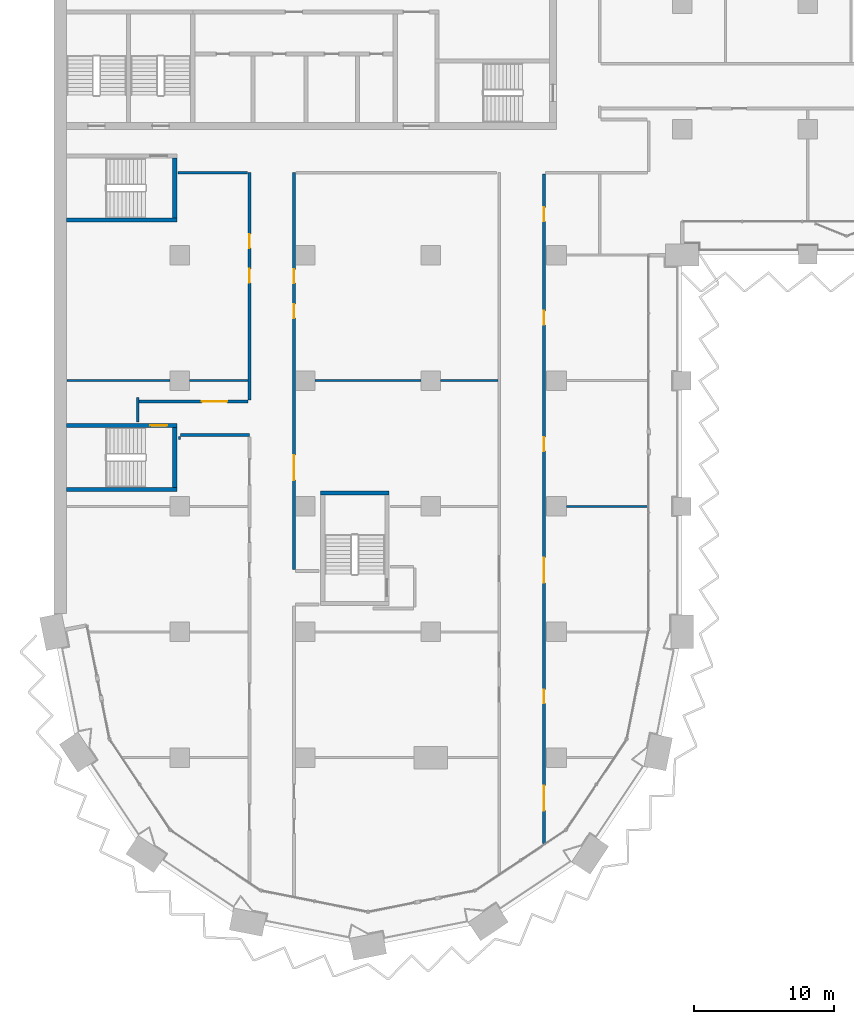
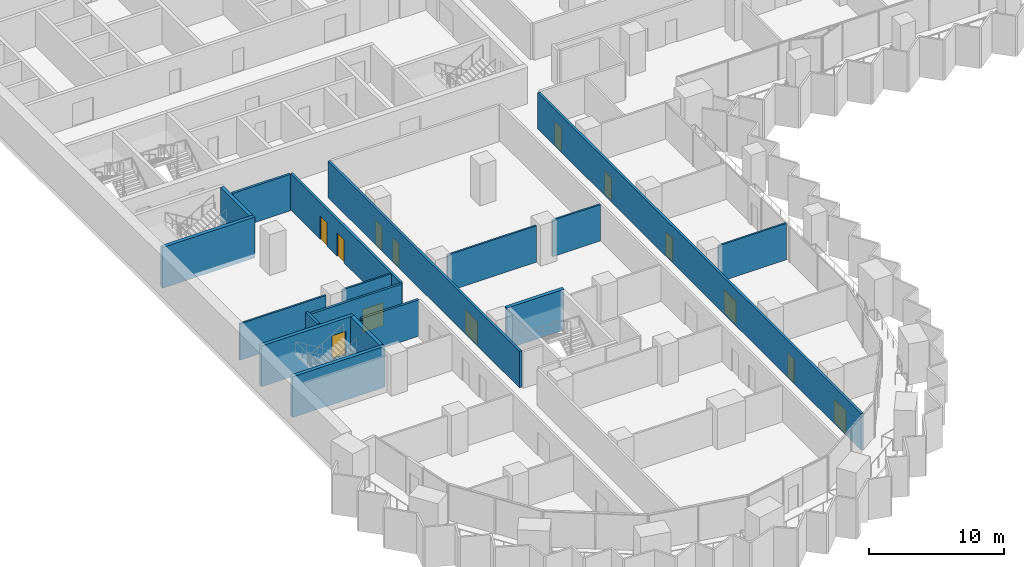
# One storey, part 11 of 28: 19 walls, 13 doors, 13 openings.
"""IFC4 building model written with IfcOpenShell, lengths in metres."""

from ifc_helpers import new_model, si_unit, direction, frame, frame_2d, origin, place, context, subcontext, project, spatial, rectangle, extrude, material, layer, layer_set, type_object, element, fill, save


model = new_model("IFC4")

# Units and contexts
model_context = context("Model", 3, precision=1e-05, world=origin(), true_north=direction((0.0, 1.0)))
body_context = subcontext(model_context, "Body", "Model", "MODEL_VIEW")
ifc_project = project(units=[si_unit("LENGTHUNIT", "METRE"), si_unit("AREAUNIT", "SQUARE_METRE"), si_unit("VOLUMEUNIT", "CUBIC_METRE"), si_unit("PLANEANGLEUNIT", "RADIAN"), si_unit("MASSUNIT", "GRAM", prefix="KILO")], contexts=[model_context])

# Site, building, storey
site_placement = place(None, origin())
site = spatial("IfcSite", under=ifc_project, at=site_placement, CompositionType="ELEMENT")
building_placement = place(site_placement, origin())
building = spatial("IfcBuilding", under=site, at=building_placement, Name="Hunhe Ridgeline Campus", CompositionType="ELEMENT")
storey_placement = place(building_placement, frame((0.0, 0.0, 35.800048828125)))
storey = spatial("IfcBuildingStorey", under=building, at=storey_placement, Name="L07", CompositionType="ELEMENT", Elevation=35.800048828125)

# Wall
ifc_material_1 = material(Name="Gypsum board partition")
ifc_layer_1 = layer(ifc_material_1, 0.199951171875)
ifc_layer_set_1 = layer_set([ifc_layer_1], Name="Corridor partition 200 gypsum board on steel studs")
wall_type_1 = type_object("IfcWallType", Name="Corridor partition 200 gypsum board on steel studs", PredefinedType="PARTITIONING", material=ifc_layer_set_1)
wall_1_placement = place(storey_placement, frame((14.0, 41.10009765625, 0.0), z_axis=(0.0, 0.0, 1.0), x_axis=(-1.0, 0.0, 0.0)))
element("IfcWall", 1, at=wall_1_placement, inside=storey, type_object=wall_type_1, Name="F-L07-wall-020", PredefinedType="PARTITIONING", context=body_context, shape_type="SweptSolid", body=[
    extrude(rectangle(XDim=4.925048828125, YDim=0.199951171875, at=frame_2d((2.46240234375, 0.0))), origin(), (0.0, 0.0, 1.0), 3.300048828125),
])

# Wall, opening, door
wall_2_placement = place(storey_placement, frame((6.10009765625, 43.5, 0.0), z_axis=(0.0, 0.0, 1.0), x_axis=(1.0, 0.0, 0.0)))
wall_2 = element("IfcWall", 2, at=wall_2_placement, inside=storey, type_object=wall_type_1, Name="F-L07-wall-021", PredefinedType="PARTITIONING", context=body_context, shape_type="SweptSolid", body=[
    extrude(rectangle(XDim=7.7998046875, YDim=0.199951171875, at=frame_2d((3.89990234375, 0.0))), origin(), (0.0, 0.0, 1.0), 3.300048828125),
])
opening_1_placement = place(wall_2_placement, frame((4.5, 0.0, 0.0)))
opening_1 = element("IfcOpeningElement", 3, at=opening_1_placement, cuts=wall_2, Name="Opening RD2-016", PredefinedType="OPENING", context=body_context, shape_type="SweptSolid", body=[
    extrude(rectangle(XDim=1.800048828125, YDim=2.10009765625, at=frame_2d((0.89990234375, 1.050048828125))), frame((0.0, 0.10009765625, 0.0), z_axis=(0.0, -1.0, 0.0), x_axis=(1.0, 0.0, 0.0)), (0.0, 0.0, 1.0), 0.199951171875),
])
ifc_material_2 = material(Name="Timber door leaf", Category="wood")
door_type_1 = type_object("IfcDoorType", Name="Double fire door 1800x2100 timber FD60", OperationType="DOUBLE_DOOR_SINGLE_SWING", PredefinedType="DOOR", material=ifc_material_2)
door_1_placement = place(opening_1_placement, origin())
door_1 = element("IfcDoor", 4, at=door_1_placement, inside=storey, type_object=door_type_1, Name="F-L07-door-016", OperationType="DOUBLE_DOOR_SINGLE_SWING", OverallHeight=2.10009765625, OverallWidth=1.800048828125, PredefinedType="DOOR", context=body_context, shape_type="SweptSolid", body=[
    extrude(rectangle(XDim=1.800048828125, YDim=2.10009765625, at=frame_2d((0.89990234375, 1.050048828125))), frame((0.0, 0.02490234375, 0.0), z_axis=(0.0, -1.0, 0.0), x_axis=(1.0, 0.0, 0.0)), (0.0, 0.0, 1.0), 0.050048828125),
])
fill(opening_1, door_1)

# Walls
wall_3_placement = place(storey_placement, frame((13.859375, 59.89990234375, 0.0), z_axis=(0.0, 0.0, 1.0), x_axis=(-1.0, 0.0, 0.0)))
element("IfcWall", 5, at=wall_3_placement, inside=storey, type_object=wall_type_1, Name="F-L07-wall-028", PredefinedType="PARTITIONING", context=body_context, shape_type="SweptSolid", body=[
    extrude(rectangle(XDim=4.955322265625, YDim=0.199951171875, at=frame_2d((2.4775390625, 0.0))), origin(), (0.0, 0.0, 1.0), 3.300048828125),
])
wall_4_placement = place(storey_placement, frame((6.0, 42.053955078125, 0.0), z_axis=(0.0, 0.0, 1.0), x_axis=(0.0, 1.0, 0.0)))
element("IfcWall", 6, at=wall_4_placement, inside=storey, type_object=wall_type_1, Name="F-L07-wall-044", PredefinedType="PARTITIONING", context=body_context, shape_type="SweptSolid", body=[
    extrude(rectangle(XDim=1.74609375, YDim=0.199951171875, at=frame_2d((0.873046875, 0.0))), origin(), (0.0, 0.0, 1.0), 3.300048828125),
])

# Wall, openings, doors
wall_5_placement = place(storey_placement, frame((14.0, 43.60009765625, 0.0), z_axis=(0.0, 0.0, 1.0), x_axis=(0.0, 1.0, 0.0)))
wall_5 = element("IfcWall", 7, at=wall_5_placement, inside=storey, type_object=wall_type_1, Name="F-L07-wall-047", PredefinedType="PARTITIONING", context=body_context, shape_type="SweptSolid", body=[
    extrude(rectangle(XDim=16.2998046875, YDim=0.199951171875, at=frame_2d((8.14990234375, 0.0))), origin(), (0.0, 0.0, 1.0), 3.300048828125),
])
opening_2_placement = place(wall_5_placement, frame((8.40234375, 0.0, 0.0)))
opening_2 = element("IfcOpeningElement", 8, at=opening_2_placement, cuts=wall_5, Name="Opening RD1-019", PredefinedType="OPENING", context=body_context, shape_type="SweptSolid", body=[
    extrude(rectangle(XDim=1.0, YDim=2.10009765625, at=frame_2d((0.5, 1.050048828125))), frame((0.0, 0.10009765625, 0.0), z_axis=(0.0, -1.0, 0.0), x_axis=(1.0, 0.0, 0.0)), (0.0, 0.0, 1.0), 0.199951171875),
])
opening_3_placement = place(wall_5_placement, frame((10.90234375, 0.0, 0.0)))
opening_3 = element("IfcOpeningElement", 9, at=opening_3_placement, cuts=wall_5, Name="Opening RD1-021", PredefinedType="OPENING", context=body_context, shape_type="SweptSolid", body=[
    extrude(rectangle(XDim=1.0, YDim=2.10009765625, at=frame_2d((0.5, 1.050048828125))), frame((0.0, 0.10009765625, 0.0), z_axis=(0.0, -1.0, 0.0), x_axis=(1.0, 0.0, 0.0)), (0.0, 0.0, 1.0), 0.199951171875),
])
door_type_2 = type_object("IfcDoorType", Name="Single fire door 1000x2100 timber FD60", OperationType="NOTDEFINED", PredefinedType="DOOR", material=ifc_material_2)
door_2_placement = place(opening_2_placement, frame((1.0, 0.0, 0.0), z_axis=(0.0, 0.0, 1.0), x_axis=(-1.0, 0.0, 0.0)))
door_2 = element("IfcDoor", 10, at=door_2_placement, inside=storey, type_object=door_type_2, Name="F-L07-door-019", OperationType="SINGLE_SWING_LEFT", OverallHeight=2.10009765625, OverallWidth=1.0, PredefinedType="DOOR", context=body_context, shape_type="SweptSolid", body=[
    extrude(rectangle(XDim=1.0, YDim=2.10009765625, at=frame_2d((0.5, 1.050048828125))), frame((0.0, 0.02490234375, 0.0), z_axis=(0.0, -1.0, 0.0), x_axis=(1.0, 0.0, 0.0)), (0.0, 0.0, 1.0), 0.050048828125),
])
fill(opening_2, door_2)
door_3_placement = place(opening_3_placement, frame((1.0, 0.0, 0.0), z_axis=(0.0, 0.0, 1.0), x_axis=(-1.0, 0.0, 0.0)))
door_3 = element("IfcDoor", 11, at=door_3_placement, inside=storey, type_object=door_type_2, Name="F-L07-door-021", OperationType="SINGLE_SWING_LEFT", OverallHeight=2.10009765625, OverallWidth=1.0, PredefinedType="DOOR", context=body_context, shape_type="SweptSolid", body=[
    extrude(rectangle(XDim=1.0, YDim=2.10009765625, at=frame_2d((0.5, 1.050048828125))), frame((0.0, 0.02490234375, 0.0), z_axis=(0.0, -1.0, 0.0), x_axis=(1.0, 0.0, 0.0)), (0.0, 0.0, 1.0), 0.050048828125),
])
fill(opening_3, door_3)

wall_6_placement = place(storey_placement, frame((17.199951171875, 59.89990234375, 0.0), z_axis=(0.0, 0.0, 1.0), x_axis=(0.0, -1.0, 0.0)))
wall_6 = element("IfcWall", 12, at=wall_6_placement, inside=storey, type_object=wall_type_1, Name="F-L07-wall-049", PredefinedType="PARTITIONING", context=body_context, shape_type="SweptSolid", body=[
    extrude(rectangle(XDim=28.41357421875, YDim=0.199951171875, at=frame_2d((14.206787109375, 0.0))), origin(), (0.0, 0.0, 1.0), 3.300048828125),
])
opening_4_placement = place(wall_6_placement, frame((20.224609375, 0.0, 0.0)))
opening_4 = element("IfcOpeningElement", 13, at=opening_4_placement, cuts=wall_6, Name="Opening RD2-014", PredefinedType="OPENING", context=body_context, shape_type="SweptSolid", body=[
    extrude(rectangle(XDim=1.800048828125, YDim=2.10009765625, at=frame_2d((0.89990234375, 1.050048828125))), frame((0.0, 0.10009765625, 0.0), z_axis=(0.0, -1.0, 0.0), x_axis=(1.0, 0.0, 0.0)), (0.0, 0.0, 1.0), 0.199951171875),
])
opening_5_placement = place(wall_6_placement, frame((9.417724609375, 0.0, 0.0)))
opening_5 = element("IfcOpeningElement", 14, at=opening_5_placement, cuts=wall_6, Name="Opening RD1-018", PredefinedType="OPENING", context=body_context, shape_type="SweptSolid", body=[
    extrude(rectangle(XDim=1.0, YDim=2.10009765625, at=frame_2d((0.5, 1.050048828125))), frame((0.0, 0.10009765625, 0.0), z_axis=(0.0, -1.0, 0.0), x_axis=(1.0, 0.0, 0.0)), (0.0, 0.0, 1.0), 0.199951171875),
])
opening_6_placement = place(wall_6_placement, frame((6.917724609375, 0.0, 0.0)))
opening_6 = element("IfcOpeningElement", 15, at=opening_6_placement, cuts=wall_6, Name="Opening RD1-020", PredefinedType="OPENING", context=body_context, shape_type="SweptSolid", body=[
    extrude(rectangle(XDim=1.0, YDim=2.10009765625, at=frame_2d((0.5, 1.050048828125))), frame((0.0, 0.10009765625, 0.0), z_axis=(0.0, -1.0, 0.0), x_axis=(1.0, 0.0, 0.0)), (0.0, 0.0, 1.0), 0.199951171875),
])
door_4_placement = place(opening_4_placement, origin())
door_4 = element("IfcDoor", 16, at=door_4_placement, inside=storey, type_object=door_type_1, Name="F-L07-door-014", OperationType="DOUBLE_DOOR_SINGLE_SWING", OverallHeight=2.10009765625, OverallWidth=1.800048828125, PredefinedType="DOOR", context=body_context, shape_type="SweptSolid", body=[
    extrude(rectangle(XDim=1.800048828125, YDim=2.10009765625, at=frame_2d((0.89990234375, 1.050048828125))), frame((0.0, 0.02490234375, 0.0), z_axis=(0.0, -1.0, 0.0), x_axis=(1.0, 0.0, 0.0)), (0.0, 0.0, 1.0), 0.050048828125),
])
fill(opening_4, door_4)
door_5_placement = place(opening_5_placement, frame((1.0, 0.0, 0.0), z_axis=(0.0, 0.0, 1.0), x_axis=(-1.0, 0.0, 0.0)))
door_5 = element("IfcDoor", 17, at=door_5_placement, inside=storey, type_object=door_type_2, Name="F-L07-door-018", OperationType="SINGLE_SWING_LEFT", OverallHeight=2.10009765625, OverallWidth=1.0, PredefinedType="DOOR", context=body_context, shape_type="SweptSolid", body=[
    extrude(rectangle(XDim=1.0, YDim=2.10009765625, at=frame_2d((0.5, 1.050048828125))), frame((0.0, 0.02490234375, 0.0), z_axis=(0.0, -1.0, 0.0), x_axis=(1.0, 0.0, 0.0)), (0.0, 0.0, 1.0), 0.050048828125),
])
fill(opening_5, door_5)
door_6_placement = place(opening_6_placement, frame((1.0, 0.0, 0.0), z_axis=(0.0, 0.0, 1.0), x_axis=(-1.0, 0.0, 0.0)))
door_6 = element("IfcDoor", 18, at=door_6_placement, inside=storey, type_object=door_type_2, Name="F-L07-door-020", OperationType="SINGLE_SWING_RIGHT", OverallHeight=2.10009765625, OverallWidth=1.0, PredefinedType="DOOR", context=body_context, shape_type="SweptSolid", body=[
    extrude(rectangle(XDim=1.0, YDim=2.10009765625, at=frame_2d((0.5, 1.050048828125))), frame((0.0, 0.02490234375, 0.0), z_axis=(0.0, -1.0, 0.0), x_axis=(1.0, 0.0, 0.0)), (0.0, 0.0, 1.0), 0.050048828125),
])
fill(opening_6, door_6)

wall_7_placement = place(storey_placement, frame((35.10009765625, 59.800048828125, 0.0), z_axis=(0.0, 0.0, 1.0), x_axis=(0.0, -1.0, 0.0)))
wall_7 = element("IfcWall", 19, at=wall_7_placement, inside=storey, type_object=wall_type_1, Name="F-L07-wall-052", PredefinedType="PARTITIONING", context=body_context, shape_type="SweptSolid", body=[
    extrude(rectangle(XDim=47.968994140625, YDim=0.199951171875, at=frame_2d((23.984375, 0.0))), origin(), (0.0, 0.0, 1.0), 3.300048828125),
])
opening_7_placement = place(wall_7_placement, frame((43.803955078125, 0.0, 0.0)))
opening_7 = element("IfcOpeningElement", 20, at=opening_7_placement, cuts=wall_7, Name="Opening RD2-003", PredefinedType="OPENING", context=body_context, shape_type="SweptSolid", body=[
    extrude(rectangle(XDim=1.800048828125, YDim=2.10009765625, at=frame_2d((0.89990234375, 1.050048828125))), frame((0.0, 0.10009765625, 0.0), z_axis=(0.0, -1.0, 0.0), x_axis=(1.0, 0.0, 0.0)), (0.0, 0.0, 1.0), 0.199951171875),
])
opening_8_placement = place(wall_7_placement, frame((36.9208984375, 0.0, 0.0)))
opening_8 = element("IfcOpeningElement", 21, at=opening_8_placement, cuts=wall_7, Name="Opening RD1-006", PredefinedType="OPENING", context=body_context, shape_type="SweptSolid", body=[
    extrude(rectangle(XDim=1.0, YDim=2.10009765625, at=frame_2d((0.5, 1.050048828125))), frame((0.0, 0.10009765625, 0.0), z_axis=(0.0, -1.0, 0.0), x_axis=(1.0, 0.0, 0.0)), (0.0, 0.0, 1.0), 0.199951171875),
])
opening_9_placement = place(wall_7_placement, frame((27.4794921875, 0.0, 0.0)))
opening_9 = element("IfcOpeningElement", 22, at=opening_9_placement, cuts=wall_7, Name="Opening RD2-010", PredefinedType="OPENING", context=body_context, shape_type="SweptSolid", body=[
    extrude(rectangle(XDim=1.800048828125, YDim=2.10009765625, at=frame_2d((0.89990234375, 1.050048828125))), frame((0.0, 0.10009765625, 0.0), z_axis=(0.0, -1.0, 0.0), x_axis=(1.0, 0.0, 0.0)), (0.0, 0.0, 1.0), 0.199951171875),
])
opening_10_placement = place(wall_7_placement, frame((18.838134765625, 0.0, 0.0)))
opening_10 = element("IfcOpeningElement", 23, at=opening_10_placement, cuts=wall_7, Name="Opening RD1-015", PredefinedType="OPENING", context=body_context, shape_type="SweptSolid", body=[
    extrude(rectangle(XDim=1.0, YDim=2.10009765625, at=frame_2d((0.5, 1.050048828125))), frame((0.0, 0.10009765625, 0.0), z_axis=(0.0, -1.0, 0.0), x_axis=(1.0, 0.0, 0.0)), (0.0, 0.0, 1.0), 0.199951171875),
])
opening_11_placement = place(wall_7_placement, frame((9.797119140625, 0.0, 0.0)))
opening_11 = element("IfcOpeningElement", 24, at=opening_11_placement, cuts=wall_7, Name="Opening RD1-017", PredefinedType="OPENING", context=body_context, shape_type="SweptSolid", body=[
    extrude(rectangle(XDim=1.0, YDim=2.10009765625, at=frame_2d((0.5, 1.050048828125))), frame((0.0, 0.10009765625, 0.0), z_axis=(0.0, -1.0, 0.0), x_axis=(1.0, 0.0, 0.0)), (0.0, 0.0, 1.0), 0.199951171875),
])
opening_12_placement = place(wall_7_placement, frame((2.38818359375, 0.0, 0.0)))
opening_12 = element("IfcOpeningElement", 25, at=opening_12_placement, cuts=wall_7, Name="Opening RD1-022", PredefinedType="OPENING", context=body_context, shape_type="SweptSolid", body=[
    extrude(rectangle(XDim=1.0, YDim=2.10009765625, at=frame_2d((0.5, 1.050048828125))), frame((0.0, 0.10009765625, 0.0), z_axis=(0.0, -1.0, 0.0), x_axis=(1.0, 0.0, 0.0)), (0.0, 0.0, 1.0), 0.199951171875),
])
door_7_placement = place(opening_7_placement, origin())
door_7 = element("IfcDoor", 26, at=door_7_placement, inside=storey, type_object=door_type_1, Name="F-L07-door-003", OperationType="DOUBLE_DOOR_SINGLE_SWING", OverallHeight=2.10009765625, OverallWidth=1.800048828125, PredefinedType="DOOR", context=body_context, shape_type="SweptSolid", body=[
    extrude(rectangle(XDim=1.800048828125, YDim=2.10009765625, at=frame_2d((0.89990234375, 1.050048828125))), frame((0.0, 0.02490234375, 0.0), z_axis=(0.0, -1.0, 0.0), x_axis=(1.0, 0.0, 0.0)), (0.0, 0.0, 1.0), 0.050048828125),
])
fill(opening_7, door_7)
door_8_placement = place(opening_9_placement, origin())
door_8 = element("IfcDoor", 27, at=door_8_placement, inside=storey, type_object=door_type_1, Name="F-L07-door-010", OperationType="DOUBLE_DOOR_SINGLE_SWING", OverallHeight=2.10009765625, OverallWidth=1.800048828125, PredefinedType="DOOR", context=body_context, shape_type="SweptSolid", body=[
    extrude(rectangle(XDim=1.800048828125, YDim=2.10009765625, at=frame_2d((0.89990234375, 1.050048828125))), frame((0.0, 0.02490234375, 0.0), z_axis=(0.0, -1.0, 0.0), x_axis=(1.0, 0.0, 0.0)), (0.0, 0.0, 1.0), 0.050048828125),
])
fill(opening_9, door_8)
door_9_placement = place(opening_8_placement, origin())
door_9 = element("IfcDoor", 28, at=door_9_placement, inside=storey, type_object=door_type_2, Name="F-L07-door-006", OperationType="SINGLE_SWING_LEFT", OverallHeight=2.10009765625, OverallWidth=1.0, PredefinedType="DOOR", context=body_context, shape_type="SweptSolid", body=[
    extrude(rectangle(XDim=1.0, YDim=2.10009765625, at=frame_2d((0.5, 1.050048828125))), frame((0.0, 0.02490234375, 0.0), z_axis=(0.0, -1.0, 0.0), x_axis=(1.0, 0.0, 0.0)), (0.0, 0.0, 1.0), 0.050048828125),
])
fill(opening_8, door_9)
door_10_placement = place(opening_10_placement, origin())
door_10 = element("IfcDoor", 29, at=door_10_placement, inside=storey, type_object=door_type_2, Name="F-L07-door-015", OperationType="SINGLE_SWING_LEFT", OverallHeight=2.10009765625, OverallWidth=1.0, PredefinedType="DOOR", context=body_context, shape_type="SweptSolid", body=[
    extrude(rectangle(XDim=1.0, YDim=2.10009765625, at=frame_2d((0.5, 1.050048828125))), frame((0.0, 0.02490234375, 0.0), z_axis=(0.0, -1.0, 0.0), x_axis=(1.0, 0.0, 0.0)), (0.0, 0.0, 1.0), 0.050048828125),
])
fill(opening_10, door_10)
door_11_placement = place(opening_11_placement, origin())
door_11 = element("IfcDoor", 30, at=door_11_placement, inside=storey, type_object=door_type_2, Name="F-L07-door-017", OperationType="SINGLE_SWING_LEFT", OverallHeight=2.10009765625, OverallWidth=1.0, PredefinedType="DOOR", context=body_context, shape_type="SweptSolid", body=[
    extrude(rectangle(XDim=1.0, YDim=2.10009765625, at=frame_2d((0.5, 1.050048828125))), frame((0.0, 0.02490234375, 0.0), z_axis=(0.0, -1.0, 0.0), x_axis=(1.0, 0.0, 0.0)), (0.0, 0.0, 1.0), 0.050048828125),
])
fill(opening_11, door_11)
door_12_placement = place(opening_12_placement, origin())
door_12 = element("IfcDoor", 31, at=door_12_placement, inside=storey, type_object=door_type_2, Name="F-L07-door-022", OperationType="SINGLE_SWING_LEFT", OverallHeight=2.10009765625, OverallWidth=1.0, PredefinedType="DOOR", context=body_context, shape_type="SweptSolid", body=[
    extrude(rectangle(XDim=1.0, YDim=2.10009765625, at=frame_2d((0.5, 1.050048828125))), frame((0.0, 0.02490234375, 0.0), z_axis=(0.0, -1.0, 0.0), x_axis=(1.0, 0.0, 0.0)), (0.0, 0.0, 1.0), 0.050048828125),
])
fill(opening_12, door_12)

# Walls
ifc_layer_2 = layer(ifc_material_1, 0.14990234375)
ifc_layer_set_2 = layer_set([ifc_layer_2], Name="Room partition 150 gypsum board on steel studs")
wall_type_2 = type_object("IfcWallType", Name="Room partition 150 gypsum board on steel studs", PredefinedType="PARTITIONING", material=ifc_layer_set_2)
wall_8_placement = place(storey_placement, frame((36.699951171875, 36.0, 0.0), z_axis=(0.0, 0.0, 1.0), x_axis=(1.0, 0.0, 0.0)))
element("IfcWall", 32, at=wall_8_placement, inside=storey, type_object=wall_type_2, Name="F-L07-wall-019", PredefinedType="PARTITIONING", context=body_context, shape_type="SweptSolid", body=[
    extrude(rectangle(XDim=5.844970703125, YDim=0.14990234375, at=frame_2d((2.92236328125, 0.0))), origin(), (0.0, 0.0, 1.0), 3.300048828125),
])
wall_9_placement = place(storey_placement, frame((0.919921875, 45.0, 0.0), z_axis=(0.0, 0.0, 1.0), x_axis=(1.0, 0.0, 0.0)))
element("IfcWall", 33, at=wall_9_placement, inside=storey, type_object=wall_type_2, Name="F-L07-wall-022", PredefinedType="PARTITIONING", context=body_context, shape_type="SweptSolid", body=[
    extrude(rectangle(XDim=7.380126953125, YDim=0.14990234375, at=frame_2d((3.68994140625, 0.0))), origin(), (0.0, 0.0, 1.0), 3.300048828125),
])
wall_10_placement = place(storey_placement, frame((9.699951171875, 45.0, 0.0), z_axis=(0.0, 0.0, 1.0), x_axis=(1.0, 0.0, 0.0)))
element("IfcWall", 34, at=wall_10_placement, inside=storey, type_object=wall_type_2, Name="F-L07-wall-023", PredefinedType="PARTITIONING", context=body_context, shape_type="SweptSolid", body=[
    extrude(rectangle(XDim=4.199951171875, YDim=0.14990234375, at=frame_2d((2.10009765625, 0.0))), origin(), (0.0, 0.0, 1.0), 3.300048828125),
])
wall_11_placement = place(storey_placement, frame((18.699951171875, 45.0, 0.0), z_axis=(0.0, 0.0, 1.0), x_axis=(1.0, 0.0, 0.0)))
element("IfcWall", 35, at=wall_11_placement, inside=storey, type_object=wall_type_2, Name="F-L07-wall-024", PredefinedType="PARTITIONING", context=body_context, shape_type="SweptSolid", body=[
    extrude(rectangle(XDim=7.60009765625, YDim=0.14990234375, at=frame_2d((3.800048828125, 0.0))), origin(), (0.0, 0.0, 1.0), 3.300048828125),
])
wall_12_placement = place(storey_placement, frame((27.699951171875, 45.0, 0.0), z_axis=(0.0, 0.0, 1.0), x_axis=(1.0, 0.0, 0.0)))
element("IfcWall", 36, at=wall_12_placement, inside=storey, type_object=wall_type_2, Name="F-L07-wall-025", PredefinedType="PARTITIONING", context=body_context, shape_type="SweptSolid", body=[
    extrude(rectangle(XDim=4.10009765625, YDim=0.14990234375, at=frame_2d((2.050048828125, 0.0))), origin(), (0.0, 0.0, 1.0), 3.300048828125),
])
wall_13_placement = place(storey_placement, frame((9.0, 41.0, 0.0), z_axis=(0.0, 0.0, 1.0), x_axis=(0.0, -1.0, 0.0)))
element("IfcWall", 37, at=wall_13_placement, inside=storey, type_object=wall_type_2, Name="F-L07-wall-045", PredefinedType="PARTITIONING", context=body_context, shape_type="SweptSolid", body=[
    extrude(rectangle(XDim=0.199951171875, YDim=0.14990234375, at=frame_2d((0.10009765625, 0.0))), origin(), (0.0, 0.0, 1.0), 3.300048828125),
])
ifc_material_3 = material(Name="Concrete C80", Category="concrete")
ifc_layer_3 = layer(ifc_material_3, 0.300048828125)
ifc_layer_set_3 = layer_set([ifc_layer_3], Name="Stair wall 300 reinforced concrete C80")
wall_type_3 = type_object("IfcWallType", Name="Stair wall 300 reinforced concrete C80", PredefinedType="SOLIDWALL", material=ifc_layer_set_3)
wall_14_placement = place(storey_placement, frame((19.10009765625, 36.949951171875, -0.400146484375), z_axis=(0.0, 0.0, 1.0), x_axis=(1.0, 0.0, 0.0)))
element("IfcWall", 38, at=wall_14_placement, inside=storey, type_object=wall_type_3, Name="L07 core wall 2", PredefinedType="SOLIDWALL", context=body_context, shape_type="SweptSolid", body=[
    extrude(rectangle(XDim=4.89990234375, YDim=0.300048828125, at=frame_2d((2.449951171875, 0.0))), origin(), (0.0, 0.0, 1.0), 3.7001953125),
])
wall_15_placement = place(storey_placement, frame((0.89990234375, 37.199951171875, -0.400146484375), z_axis=(0.0, 0.0, 1.0), x_axis=(1.0, 0.0, 0.0)))
element("IfcWall", 39, at=wall_15_placement, inside=storey, type_object=wall_type_3, Name="L07 core wall 3", PredefinedType="SOLIDWALL", context=body_context, shape_type="SweptSolid", body=[
    extrude(rectangle(XDim=7.900146484375, YDim=0.300048828125, at=frame_2d((3.9501953125, 0.0))), origin(), (0.0, 0.0, 1.0), 3.7001953125),
])

# Wall, opening, door
wall_16_placement = place(storey_placement, frame((0.89990234375, 41.800048828125, -0.400146484375), z_axis=(0.0, 0.0, 1.0), x_axis=(1.0, 0.0, 0.0)))
wall_16 = element("IfcWall", 40, at=wall_16_placement, inside=storey, type_object=wall_type_3, Name="L07 core wall 4", PredefinedType="SOLIDWALL", context=body_context, shape_type="SweptSolid", body=[
    extrude(rectangle(XDim=7.900146484375, YDim=0.300048828125, at=frame_2d((3.9501953125, 0.0))), origin(), (0.0, 0.0, 1.0), 3.7001953125),
])
opening_13_placement = place(wall_16_placement, frame((6.0, 0.0, 0.39990234375)))
opening_13 = element("IfcOpeningElement", 41, at=opening_13_placement, cuts=wall_16, Name="Opening CD21", PredefinedType="OPENING", context=body_context, shape_type="SweptSolid", body=[
    extrude(rectangle(XDim=1.199951171875, YDim=2.10009765625, at=frame_2d((0.60009765625, 1.050048828125))), frame((0.0, 0.14990234375, 0.0), z_axis=(0.0, -1.0, 0.0), x_axis=(1.0, 0.0, 0.0)), (0.0, 0.0, 1.0), 0.300048828125),
])
ifc_material_4 = material(Name="Hollow metal fire door leaf")
door_type_3 = type_object("IfcDoorType", Name="Stair door 1200x2100 FD60", OperationType="SINGLE_SWING_LEFT", PredefinedType="DOOR", material=ifc_material_4)
door_13_placement = place(opening_13_placement, origin())
door_13 = element("IfcDoor", 42, at=door_13_placement, inside=storey, type_object=door_type_3, Name="L07 door W1", OperationType="SINGLE_SWING_LEFT", OverallHeight=2.10009765625, OverallWidth=1.199951171875, PredefinedType="DOOR", context=body_context, shape_type="SweptSolid", body=[
    extrude(rectangle(XDim=1.199951171875, YDim=2.10009765625, at=frame_2d((0.60009765625, 1.050048828125))), frame((0.0, 0.02490234375, 0.0), z_axis=(0.0, -1.0, 0.0), x_axis=(1.0, 0.0, 0.0)), (0.0, 0.0, 1.0), 0.050048828125),
])
fill(opening_13, door_13)

# Walls
wall_17_placement = place(storey_placement, frame((0.89990234375, 56.5, -0.400146484375), z_axis=(0.0, 0.0, 1.0), x_axis=(1.0, 0.0, 0.0)))
element("IfcWall", 43, at=wall_17_placement, inside=storey, type_object=wall_type_3, Name="L07 core wall 5", PredefinedType="SOLIDWALL", context=body_context, shape_type="SweptSolid", body=[
    extrude(rectangle(XDim=7.900146484375, YDim=0.300048828125, at=frame_2d((3.9501953125, 0.0))), origin(), (0.0, 0.0, 1.0), 3.7001953125),
])
wall_18_placement = place(storey_placement, frame((8.64990234375, 37.35009765625, -0.400146484375), z_axis=(0.0, 0.0, 1.0), x_axis=(0.0, 1.0, 0.0)))
element("IfcWall", 44, at=wall_18_placement, inside=storey, type_object=wall_type_3, Name="L07 core wall 41", PredefinedType="SOLIDWALL", context=body_context, shape_type="SweptSolid", body=[
    extrude(rectangle(XDim=4.2998046875, YDim=0.300048828125, at=frame_2d((2.14990234375, 0.0))), origin(), (0.0, 0.0, 1.0), 3.7001953125),
])
wall_19_placement = place(storey_placement, frame((8.64990234375, 56.64990234375, -0.400146484375), z_axis=(0.0, 0.0, 1.0), x_axis=(0.0, 1.0, 0.0)))
element("IfcWall", 45, at=wall_19_placement, inside=storey, type_object=wall_type_3, Name="L07 core wall 42", PredefinedType="SOLIDWALL", context=body_context, shape_type="SweptSolid", body=[
    extrude(rectangle(XDim=4.300048828125, YDim=0.300048828125, at=frame_2d((2.14990234375, 0.0))), origin(), (0.0, 0.0, 1.0), 3.7001953125),
])

save(model, "model.ifc")
